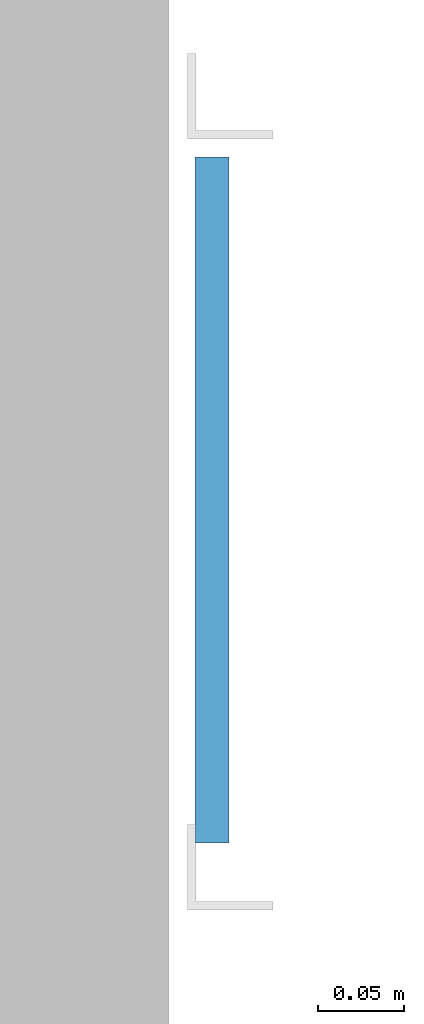
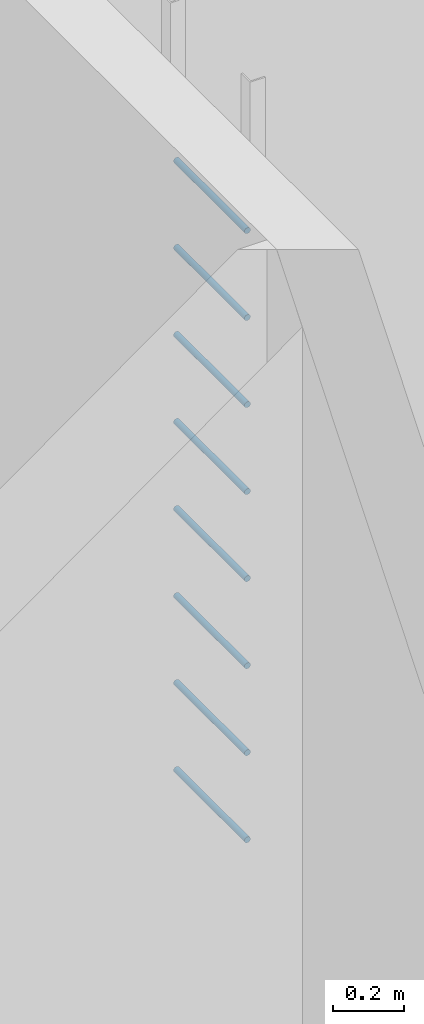
# One storey, part 6 of 15: 8 members.
"""IFC4 building model written with IfcOpenShell, lengths in metres."""

from ifc_helpers import new_model, si_unit, direction, frame, origin, origin_2d, place, context, subcontext, project, spatial, circle, extrude, material, material_profile, profile_set, type_object, element, save


model = new_model("IFC4")

# Units and contexts
model_context = context("Model", 3, precision=1e-05, world=origin(), true_north=direction((0.0, 1.0)))
body_context = subcontext(model_context, "Body", "Model", "MODEL_VIEW")
ifc_project = project(units=[si_unit("LENGTHUNIT", "METRE"), si_unit("AREAUNIT", "SQUARE_METRE"), si_unit("VOLUMEUNIT", "CUBIC_METRE"), si_unit("PLANEANGLEUNIT", "RADIAN"), si_unit("MASSUNIT", "GRAM", prefix="KILO")], contexts=[model_context])

# Site, building, storey
site_placement = place(None, origin())
site = spatial("IfcSite", under=ifc_project, at=site_placement, CompositionType="ELEMENT")
building_placement = place(site_placement, origin())
building = spatial("IfcBuilding", under=site, at=building_placement, Name="Ridgestep Commons", CompositionType="ELEMENT")
storey_placement = place(building_placement, frame((0.0, 0.0, 45.0)))
storey = spatial("IfcBuildingStorey", under=building, at=storey_placement, Name="L15", CompositionType="ELEMENT", Elevation=45.0)

# Members
ifc_material = material(Name="Structural steel S355JR", Category="steel")
ifc_material_profile = material_profile(ifc_material, circle(Radius=0.010009765625, at=origin_2d()), Name="Round bar 20")
ifc_profile_set = profile_set([ifc_material_profile], Name="Structural steel S355JR")
member_type = type_object("IfcMemberType", Name="Core ladder rung 20", PredefinedType="STRINGER", material=ifc_profile_set)
for number, where, z_axis, x_axis, name in (
    (1, (48.60009765625, 21.64990234375, 0.300048828125), (0.0, 1.0, 0.0), (-1.0, 0.0, 0.0), "Ladder rung A3C.1"),
    (2, (48.60009765625, 21.64990234375, 0.60009765625), (0.0, 1.0, 0.0), (-1.0, 0.0, 0.0), "Ladder rung A3C.2"),
    (3, (48.60009765625, 21.64990234375, 0.89990234375), (0.0, 1.0, 0.0), (-1.0, 0.0, 0.0), "Ladder rung A3C.3"),
    (4, (48.60009765625, 21.64990234375, 1.199951171875), (0.0, 1.0, 0.0), (-1.0, 0.0, 0.0), "Ladder rung A3C.4"),
    (5, (48.60009765625, 21.64990234375, 1.5), (0.0, 1.0, 0.0), (-1.0, 0.0, 0.0), "Ladder rung A3C.5"),
    (6, (48.60009765625, 21.64990234375, 1.800048828125), (0.0, 1.0, 0.0), (-1.0, 0.0, 0.0), "Ladder rung A3C.6"),
    (7, (48.60009765625, 21.64990234375, 2.10009765625), (0.0, 1.0, 0.0), (-1.0, 0.0, 0.0), "Ladder rung A3C.7"),
    (8, (48.60009765625, 21.64990234375, 2.39990234375), (0.0, 1.0, 0.0), (-1.0, 0.0, 0.0), "Ladder rung A3C.8"),
):
    element("IfcMember", number, at=place(storey_placement, frame(where, z_axis=z_axis, x_axis=x_axis)), inside=storey, type_object=member_type, Name=name, PredefinedType="STRINGER", context=body_context, shape_type="SweptSolid", body=[
        extrude(circle(Radius=0.010009765625, at=origin_2d()), origin(), (0.0, 0.0, 1.0), 0.400146484375),
    ])

save(model, "model.ifc")
